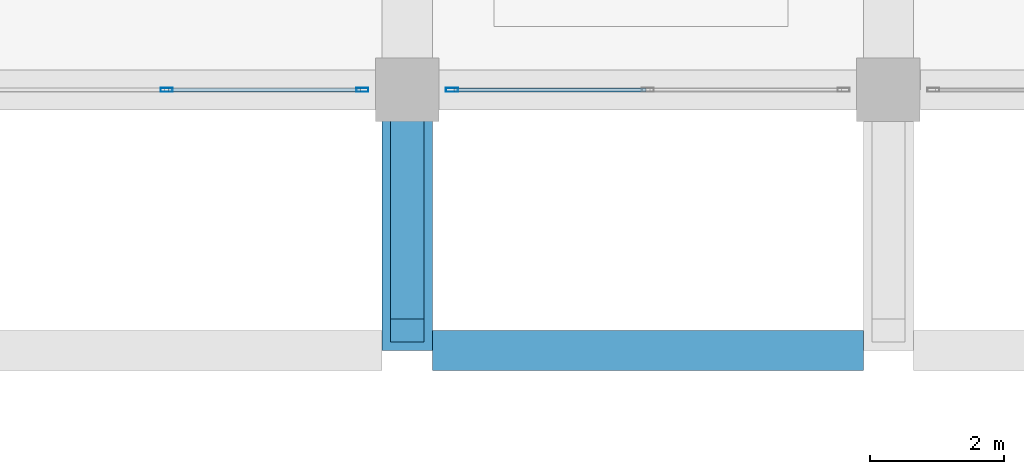
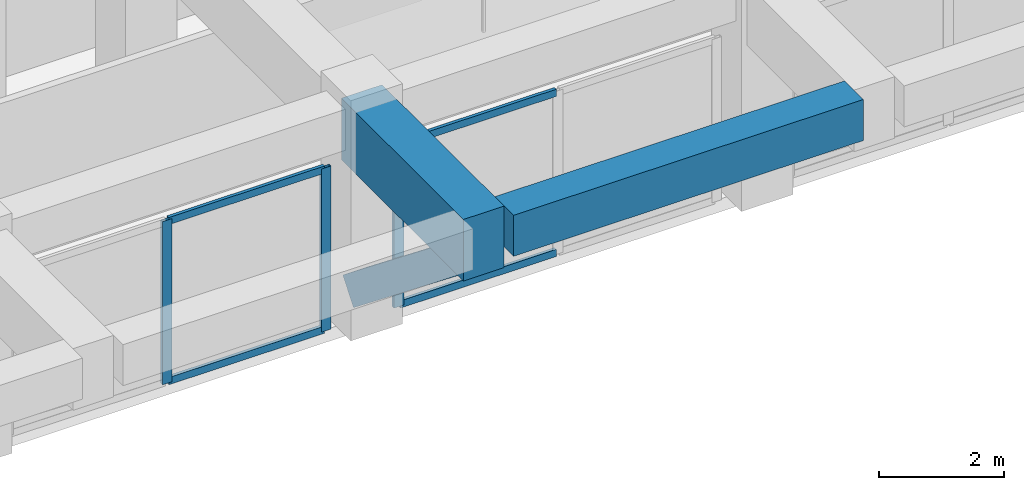
# One storey, part 15 of 54: 8 members, 2 beams, 2 elements without a shape of their own.
"""IFC4 building model written with IfcOpenShell, lengths in metres."""

from ifc_helpers import new_model, si_unit, direction, frame, origin, origin_2d, place, context, subcontext, project, spatial, rectangle, hollow_rectangle, extrude, material, material_profile, profile_set, type_object, element, aggregate, save


model = new_model("IFC4")

# Units and contexts
model_context = context("Model", 3, precision=1e-05, world=origin(), true_north=direction((0.0, 1.0)))
body_context = subcontext(model_context, "Body", "Model", "MODEL_VIEW")
ifc_project = project(units=[si_unit("LENGTHUNIT", "METRE"), si_unit("AREAUNIT", "SQUARE_METRE"), si_unit("VOLUMEUNIT", "CUBIC_METRE"), si_unit("PLANEANGLEUNIT", "RADIAN"), si_unit("MASSUNIT", "GRAM", prefix="KILO")], contexts=[model_context])

# Site, building, storey
site_placement = place(None, origin())
site = spatial("IfcSite", under=ifc_project, at=site_placement, CompositionType="ELEMENT")
building_placement = place(site_placement, origin())
building = spatial("IfcBuilding", under=site, at=building_placement, Name="Kazehaya Institute of Natural Sciences", CompositionType="ELEMENT")
storey_placement = place(building_placement, frame((0.0, 0.0, 10.43994140625)))
storey = spatial("IfcBuildingStorey", under=building, at=storey_placement, Name="L02", CompositionType="ELEMENT", Elevation=10.43994140625)

# Beams
ifc_material_1 = material(Name="Concrete Fc36", Category="concrete")
ifc_material_profile_1 = material_profile(ifc_material_1, rectangle(XDim=0.60009765625, YDim=0.800048828125, at=origin_2d()), Name="RC-600x800")
ifc_profile_set_1 = profile_set([ifc_material_profile_1], Name="Concrete Fc36")
beam_type_1 = type_object("IfcBeamType", Name="BM-G-600x800", PredefinedType="BEAM", material=ifc_profile_set_1)
beam_1_placement = place(storey_placement, frame((105.375, 10.10009765625, 4.010009765625), z_axis=(1.0, 0.0, 0.0), x_axis=(0.0, 1.0, 0.0)))
element("IfcBeam", 1, at=beam_1_placement, inside=storey, type_object=beam_type_1, Name="L02 primary X girder BMX-L02-1050-101", PredefinedType="BEAM", context=body_context, shape_type="SweptSolid", body=[
    extrude(rectangle(XDim=0.60009765625, YDim=0.800048828125, at=origin_2d()), origin(), (0.0, 0.0, 1.0), 6.449951171875),
])
ifc_material_2 = material(Name="Concrete Fc42", Category="concrete")
ifc_material_profile_2 = material_profile(ifc_material_2, rectangle(XDim=0.75, YDim=1.199951171875, at=origin_2d()), Name="RC-750x1200")
ifc_profile_set_2 = profile_set([ifc_material_profile_2], Name="Concrete Fc42")
beam_type_2 = type_object("IfcBeamType", Name="BM-TG-750x1200", PredefinedType="BEAM", material=ifc_profile_set_2)
beam_2_placement = place(storey_placement, frame((105.0, 10.10009765625, 3.81005859375), z_axis=(0.0, 1.0, 0.0), x_axis=(-1.0, 0.0, 0.0)))
element("IfcBeam", 2, at=beam_2_placement, inside=storey, type_object=beam_type_2, Name="L02 cantilever transfer girder 1254", PredefinedType="BEAM", context=body_context, shape_type="SweptSolid", body=[
    extrude(rectangle(XDim=0.75, YDim=1.199951171875, at=origin_2d()), origin(), (0.0, 0.0, 1.0), 3.89990234375),
])

# Curtain wall, member
ifc_material_3 = material(Name="Aluminium alloy A6063S-T5", Category="aluminium")
curtain_wall_type = type_object("IfcCurtainWallType", Name="CW-SYS-03", PredefinedType="NOTDEFINED", material=ifc_material_3)
curtain_wall_1_placement = place(storey_placement, origin())
curtain_wall_1 = element("IfcCurtainWall", 3, at=curtain_wall_1_placement, inside=storey, type_object=curtain_wall_type, Name="L02 unitised curtain wall CW-L02-049", PredefinedType="NOTDEFINED")
ifc_material_profile_3 = material_profile(ifc_material_3, hollow_rectangle(XDim=0.06005859375, YDim=0.179931640625, WallThickness=0.00390625, at=origin_2d()), Name="ALU-60x180x4")
ifc_profile_set_3 = profile_set([ifc_material_profile_3], Name="Aluminium alloy A6063S-T5")
member_type_1 = type_object("IfcMemberType", Name="CWM-180", PredefinedType="MULLION", material=ifc_profile_set_3)
member_1_placement = place(storey_placement, frame((105.669921875, 14.0, 0.0), z_axis=(0.0, 0.0, 1.0), x_axis=(0.0, -1.0, 0.0)))
member_1 = element("IfcMember", 4, at=member_1_placement, type_object=member_type_1, Name="CW03 mullion 3", PredefinedType="MULLION", context=body_context, shape_type="SweptSolid", body=[
    extrude(hollow_rectangle(XDim=0.06005859375, YDim=0.179931640625, WallThickness=0.00390625, at=origin_2d()), origin(), (0.0, 0.0, 1.0), 3.18017578125),
])

# Curtain wall, members
curtain_wall_2_placement = place(storey_placement, origin())
curtain_wall_2 = element("IfcCurtainWall", 5, at=curtain_wall_2_placement, inside=storey, type_object=curtain_wall_type, Name="L02 unitised curtain wall CW-L02-050", PredefinedType="NOTDEFINED")
member_2_placement = place(storey_placement, frame((104.330078125, 14.0, 0.0), z_axis=(0.0, 0.0, 1.0), x_axis=(0.0, -1.0, 0.0)))
member_2 = element("IfcMember", 6, at=member_2_placement, type_object=member_type_1, Name="CW03 mullion 1", PredefinedType="MULLION", context=body_context, shape_type="SweptSolid", body=[
    extrude(hollow_rectangle(XDim=0.06005859375, YDim=0.179931640625, WallThickness=0.00390625, at=origin_2d()), origin(), (0.0, 0.0, 1.0), 3.18017578125),
])
member_3_placement = place(storey_placement, frame((101.39990234375, 14.0, 0.0), z_axis=(0.0, 0.0, 1.0), x_axis=(0.0, -1.0, 0.0)))
member_3 = element("IfcMember", 7, at=member_3_placement, type_object=member_type_1, Name="CW03 mullion 2", PredefinedType="MULLION", context=body_context, shape_type="SweptSolid", body=[
    extrude(hollow_rectangle(XDim=0.06005859375, YDim=0.179931640625, WallThickness=0.00390625, at=origin_2d()), origin(), (0.0, 0.0, 1.0), 3.18017578125),
])

# Member
ifc_material_profile_4 = material_profile(ifc_material_3, hollow_rectangle(XDim=0.06005859375, YDim=0.139892578125, WallThickness=0.00341796875, at=origin_2d()), Name="ALU-60x140x3.5")
ifc_profile_set_4 = profile_set([ifc_material_profile_4], Name="Aluminium alloy A6063S-T5")
member_type_2 = type_object("IfcMemberType", Name="CWT-140", PredefinedType="USERDEFINED", material=ifc_profile_set_4)
member_4_placement = place(storey_placement, frame((108.570068359375, 14.0, 0.030029296875), z_axis=(-1.0, 0.0, 0.0), x_axis=(0.0, -1.0, 0.0)))
member_4 = element("IfcMember", 8, at=member_4_placement, type_object=member_type_2, Name="CW03 transom 2.1", ObjectType="TRANSOM", PredefinedType="USERDEFINED", context=body_context, shape_type="SweptSolid", body=[
    extrude(hollow_rectangle(XDim=0.06005859375, YDim=0.139892578125, WallThickness=0.00341796875, at=origin_2d()), origin(), (0.0, 0.0, 1.0), 2.8701171875),
])

member_5_placement = place(storey_placement, frame((108.570068359375, 14.0, 3.150146484375), z_axis=(-1.0, 0.0, 0.0), x_axis=(0.0, -1.0, 0.0)))
member_5 = element("IfcMember", 9, at=member_5_placement, type_object=member_type_2, Name="CW03 transom 2.2", ObjectType="TRANSOM", PredefinedType="USERDEFINED", context=body_context, shape_type="SweptSolid", body=[
    extrude(hollow_rectangle(XDim=0.06005859375, YDim=0.139892578125, WallThickness=0.00341796875, at=origin_2d()), origin(), (0.0, 0.0, 1.0), 2.8701171875),
])

aggregate(curtain_wall_1, [member_1, member_4, member_5])

member_6_placement = place(storey_placement, frame((104.300048828125, 14.0, 0.030029296875), z_axis=(-1.0, 0.0, 0.0), x_axis=(0.0, -1.0, 0.0)))
member_6 = element("IfcMember", 10, at=member_6_placement, type_object=member_type_2, Name="CW03 transom 1.1", ObjectType="TRANSOM", PredefinedType="USERDEFINED", context=body_context, shape_type="SweptSolid", body=[
    extrude(hollow_rectangle(XDim=0.06005859375, YDim=0.139892578125, WallThickness=0.00341796875, at=origin_2d()), origin(), (0.0, 0.0, 1.0), 2.8701171875),
])

member_7_placement = place(storey_placement, frame((104.300048828125, 14.0, 3.150146484375), z_axis=(-1.0, 0.0, 0.0), x_axis=(0.0, -1.0, 0.0)))
member_7 = element("IfcMember", 11, at=member_7_placement, type_object=member_type_2, Name="CW03 transom 1.2", ObjectType="TRANSOM", PredefinedType="USERDEFINED", context=body_context, shape_type="SweptSolid", body=[
    extrude(hollow_rectangle(XDim=0.06005859375, YDim=0.139892578125, WallThickness=0.00341796875, at=origin_2d()), origin(), (0.0, 0.0, 1.0), 2.8701171875),
])

aggregate(curtain_wall_2, [member_2, member_3, member_6, member_7])

ifc_material_profile_5 = material_profile(ifc_material_2, rectangle(XDim=0.5, YDim=0.550048828125, at=origin_2d()), Name="RC-500x550")
ifc_profile_set_5 = profile_set([ifc_material_profile_5], Name="Concrete Fc42")
member_type_3 = type_object("IfcMemberType", Name="MEM-STRUT-RC500", PredefinedType="BRACE", material=ifc_profile_set_5)
member_8_placement = place(storey_placement, frame((105.0, 14.0, 0.60009765625), z_axis=(0.0, -0.783008919264, 0.622010476079), x_axis=(1.0, 0.0, 0.0)))
element("IfcMember", 12, at=member_8_placement, inside=storey, type_object=member_type_3, Name="L02 raked cantilever strut 008", PredefinedType="BRACE", context=body_context, shape_type="SweptSolid", body=[
    extrude(rectangle(XDim=0.5, YDim=0.550048828125, at=origin_2d()), origin(), (0.0, 0.0, 1.0), 4.59765625),
])

save(model, "model.ifc")
